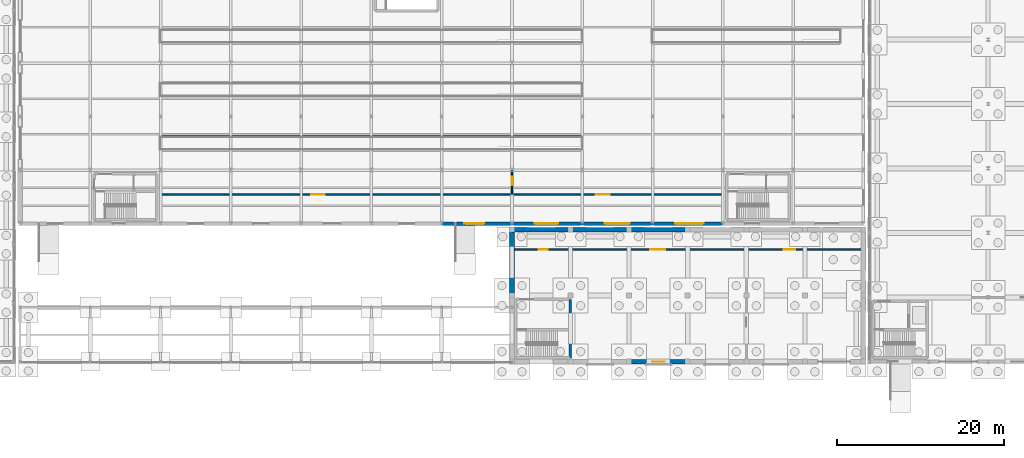
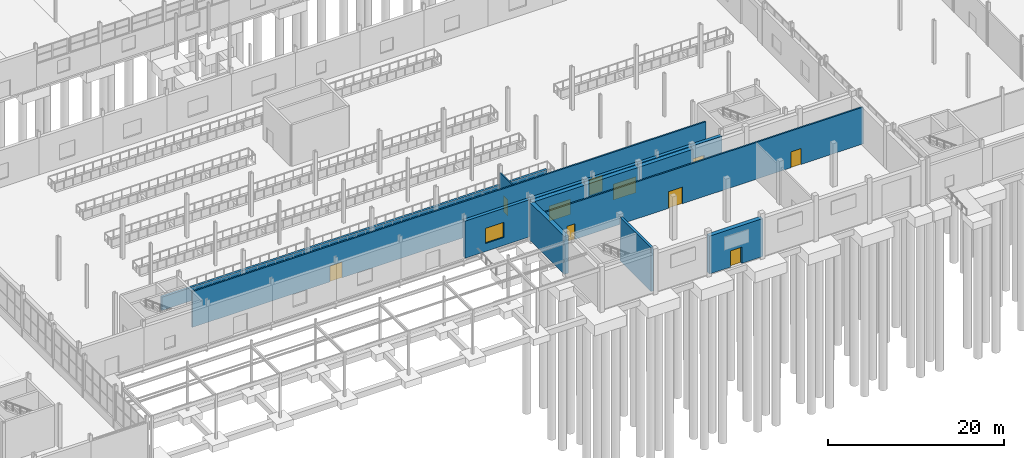
# One storey, part 122 of 139: 14 walls, 7 doors, 4 windows, 11 openings.
"""IFC4 building model written with IfcOpenShell, lengths in metres."""

from ifc_helpers import new_model, si_unit, direction, frame, frame_2d, origin, place, context, subcontext, project, spatial, rectangle, extrude, material, layer, layer_set, type_object, element, fill, save


model = new_model("IFC4")

# Units and contexts
model_context = context("Model", 3, precision=1e-05, world=origin(), true_north=direction((0.0, 1.0)))
body_context = subcontext(model_context, "Body", "Model", "MODEL_VIEW")
ifc_project = project(units=[si_unit("LENGTHUNIT", "METRE"), si_unit("AREAUNIT", "SQUARE_METRE"), si_unit("VOLUMEUNIT", "CUBIC_METRE"), si_unit("PLANEANGLEUNIT", "RADIAN"), si_unit("MASSUNIT", "GRAM", prefix="KILO")], contexts=[model_context])

# Site, building, storey
site_placement = place(None, origin())
site = spatial("IfcSite", under=ifc_project, at=site_placement, CompositionType="ELEMENT")
building_placement = place(site_placement, origin())
building = spatial("IfcBuilding", under=site, at=building_placement, Name="Kazenagashi Tramway Depot", CompositionType="ELEMENT")
storey_placement = place(building_placement, origin())
storey = spatial("IfcBuildingStorey", under=building, at=storey_placement, Name="L01", CompositionType="ELEMENT", Elevation=0.0)

# Wall, opening, window
ifc_material_1 = material(Name="Clay Brick Masonry JIS R 1250 Class 1 (20 MPa)", Category="masonry")
ifc_layer_1 = layer(ifc_material_1, 0.43)
ifc_layer_set_1 = layer_set([ifc_layer_1], Name="Clay Brick Masonry JIS R 1250 Class 1 (20 MPa)")
wall_type_1 = type_object("IfcWallType", Name="W-BK1", PredefinedType="SOLIDWALL", material=ifc_layer_set_1)
wall_1_placement = place(storey_placement, frame((95.2, 16.5, 0.0), z_axis=(0.0, 0.0, 1.0), x_axis=(1.0, 0.0, 0.0)))
wall_1 = element("IfcWall", 1, at=wall_1_placement, inside=storey, type_object=wall_type_1, Name="Exterior Brick Wall W-BK1 EWALL-0089", PredefinedType="SOLIDWALL", context=body_context, shape_type="SweptSolid", body=[
    extrude(rectangle(XDim=8.4, YDim=0.43, at=frame_2d((4.2, 0.0))), origin(), (0.0, 0.0, 1.0), 5.14),
])
opening_1_placement = place(wall_1_placement, frame((2.7, 0.0, 1.1)))
opening_1 = element("IfcOpeningElement", 2, at=opening_1_placement, cuts=wall_1, Name="Opening WN-10", PredefinedType="OPENING", context=body_context, shape_type="SweptSolid", body=[
    extrude(rectangle(XDim=2.4, YDim=2.1, at=frame_2d((1.2, 1.05))), frame((0.0, 0.225, 0.0), z_axis=(0.0, -1.0, 0.0), x_axis=(1.0, 0.0, 0.0)), (0.0, 0.0, 1.0), 0.45),
])
ifc_material_2 = material(Name="Anodised Aluminium and Tempered Low-E Glass", Category="aluminium")
window_type_1 = type_object("IfcWindowType", Name="WN-10", PartitioningType="SINGLE_PANEL", PredefinedType="WINDOW", material=ifc_material_2)
window_1_placement = place(opening_1_placement, origin())
window_1 = element("IfcWindow", 3, at=window_1_placement, inside=storey, type_object=window_type_1, Name="Window WN-10 WIN-0058", OverallHeight=2.1, OverallWidth=2.4, PartitioningType="SINGLE_PANEL", PredefinedType="WINDOW", context=body_context, shape_type="SweptSolid", body=[
    extrude(rectangle(XDim=2.4, YDim=2.1, at=frame_2d((1.2, 1.05))), frame((0.0, 0.03, 0.0), z_axis=(0.0, -1.0, 0.0), x_axis=(1.0, 0.0, 0.0)), (0.0, 0.0, 1.0), 0.06),
])
fill(opening_1, window_1)

wall_2_placement = place(storey_placement, frame((103.6, 16.5, 0.0), z_axis=(0.0, 0.0, 1.0), x_axis=(1.0, 0.0, 0.0)))
wall_2 = element("IfcWall", 4, at=wall_2_placement, inside=storey, type_object=wall_type_1, Name="Exterior Brick Wall W-BK1 EWALL-0091", PredefinedType="SOLIDWALL", context=body_context, shape_type="SweptSolid", body=[
    extrude(rectangle(XDim=8.4, YDim=0.43, at=frame_2d((4.2, 0.0))), origin(), (0.0, 0.0, 1.0), 5.14),
])
opening_2_placement = place(wall_2_placement, frame((2.7, 0.0, 1.1)))
opening_2 = element("IfcOpeningElement", 5, at=opening_2_placement, cuts=wall_2, Name="Opening WN-12", PredefinedType="OPENING", context=body_context, shape_type="SweptSolid", body=[
    extrude(rectangle(XDim=2.8, YDim=2.1, at=frame_2d((1.4, 1.05))), frame((0.0, 0.225, 0.0), z_axis=(0.0, -1.0, 0.0), x_axis=(1.0, 0.0, 0.0)), (0.0, 0.0, 1.0), 0.45),
])
window_type_2 = type_object("IfcWindowType", Name="WN-12", PartitioningType="SINGLE_PANEL", PredefinedType="WINDOW", material=ifc_material_2)
window_2_placement = place(opening_2_placement, origin())
window_2 = element("IfcWindow", 6, at=window_2_placement, inside=storey, type_object=window_type_2, Name="Window WN-12 WIN-0060", OverallHeight=2.1, OverallWidth=2.8, PartitioningType="SINGLE_PANEL", PredefinedType="WINDOW", context=body_context, shape_type="SweptSolid", body=[
    extrude(rectangle(XDim=2.8, YDim=2.1, at=frame_2d((1.4, 1.05))), frame((0.0, 0.03, 0.0), z_axis=(0.0, -1.0, 0.0), x_axis=(1.0, 0.0, 0.0)), (0.0, 0.0, 1.0), 0.06),
])
fill(opening_2, window_2)

wall_3_placement = place(storey_placement, frame((112.0, 16.5, 0.0), z_axis=(0.0, 0.0, 1.0), x_axis=(1.0, 0.0, 0.0)))
wall_3 = element("IfcWall", 7, at=wall_3_placement, inside=storey, type_object=wall_type_1, Name="Exterior Brick Wall W-BK1 EWALL-0093", PredefinedType="SOLIDWALL", context=body_context, shape_type="SweptSolid", body=[
    extrude(rectangle(XDim=8.4, YDim=0.43, at=frame_2d((4.2, 0.0))), origin(), (0.0, 0.0, 1.0), 5.14),
])
opening_3_placement = place(wall_3_placement, frame((2.7, 0.0, 1.1)))
opening_3 = element("IfcOpeningElement", 8, at=opening_3_placement, cuts=wall_3, Name="Opening WN-14", PredefinedType="OPENING", context=body_context, shape_type="SweptSolid", body=[
    extrude(rectangle(XDim=3.0, YDim=2.2, at=frame_2d((1.5, 1.1))), frame((0.0, 0.225, 0.0), z_axis=(0.0, -1.0, 0.0), x_axis=(1.0, 0.0, 0.0)), (0.0, 0.0, 1.0), 0.45),
])
window_type_3 = type_object("IfcWindowType", Name="WN-14", PartitioningType="SINGLE_PANEL", PredefinedType="WINDOW", material=ifc_material_2)
window_3_placement = place(opening_3_placement, origin())
window_3 = element("IfcWindow", 9, at=window_3_placement, inside=storey, type_object=window_type_3, Name="Window WN-14 WIN-0062", OverallHeight=2.2, OverallWidth=3.0, PartitioningType="SINGLE_PANEL", PredefinedType="WINDOW", context=body_context, shape_type="SweptSolid", body=[
    extrude(rectangle(XDim=3.0, YDim=2.2, at=frame_2d((1.5, 1.1))), frame((0.0, 0.03, 0.0), z_axis=(0.0, -1.0, 0.0), x_axis=(1.0, 0.0, 0.0)), (0.0, 0.0, 1.0), 0.06),
])
fill(opening_3, window_3)

wall_4_placement = place(storey_placement, frame((120.4, 16.5, 0.0), z_axis=(0.0, 0.0, 1.0), x_axis=(1.0, 0.0, 0.0)))
wall_4 = element("IfcWall", 10, at=wall_4_placement, inside=storey, type_object=wall_type_1, Name="Exterior Brick Wall W-BK1 EWALL-0095", PredefinedType="SOLIDWALL", context=body_context, shape_type="SweptSolid", body=[
    extrude(rectangle(XDim=8.4, YDim=0.43, at=frame_2d((4.2, 0.0))), origin(), (0.0, 0.0, 1.0), 5.14),
])
opening_4_placement = place(wall_4_placement, frame((2.7, 0.0, 1.1)))
opening_4 = element("IfcOpeningElement", 11, at=opening_4_placement, cuts=wall_4, Name="Opening WN-16", PredefinedType="OPENING", context=body_context, shape_type="SweptSolid", body=[
    extrude(rectangle(XDim=3.4, YDim=2.2, at=frame_2d((1.7, 1.1))), frame((0.0, 0.225, 0.0), z_axis=(0.0, -1.0, 0.0), x_axis=(1.0, 0.0, 0.0)), (0.0, 0.0, 1.0), 0.45),
])
window_type_4 = type_object("IfcWindowType", Name="WN-16", PartitioningType="SINGLE_PANEL", PredefinedType="WINDOW", material=ifc_material_2)
window_4_placement = place(opening_4_placement, origin())
window_4 = element("IfcWindow", 12, at=window_4_placement, inside=storey, type_object=window_type_4, Name="Window WN-16 WIN-0064", OverallHeight=2.2, OverallWidth=3.4, PartitioningType="SINGLE_PANEL", PredefinedType="WINDOW", context=body_context, shape_type="SweptSolid", body=[
    extrude(rectangle(XDim=3.4, YDim=2.2, at=frame_2d((1.7, 1.1))), frame((0.0, 0.03, 0.0), z_axis=(0.0, -1.0, 0.0), x_axis=(1.0, 0.0, 0.0)), (0.0, 0.0, 1.0), 0.06),
])
fill(opening_4, window_4)

# Wall, opening, door
ifc_material_3 = material(Name="Clinker Brick Masonry JIS R 1250 Class 1 (24 MPa)", Category="masonry")
ifc_layer_2 = layer(ifc_material_3, 0.54)
ifc_layer_set_2 = layer_set([ifc_layer_2], Name="Clinker Brick Masonry JIS R 1250 Class 1 (24 MPa)")
wall_type_2 = type_object("IfcWallType", Name="W-BK4", PredefinedType="SOLIDWALL", material=ifc_layer_set_2)
wall_5_placement = place(storey_placement, frame((117.6, 0.0, 0.0), z_axis=(0.0, 0.0, 1.0), x_axis=(1.0, 0.0, 0.0)))
wall_5 = element("IfcWall", 13, at=wall_5_placement, inside=storey, type_object=wall_type_2, Name="Exterior Brick Wall W-BK4 EWALL-0281", PredefinedType="SOLIDWALL", context=body_context, shape_type="SweptSolid", body=[
    extrude(rectangle(XDim=7.0, YDim=0.54, at=frame_2d((3.5, 0.0))), origin(), (0.0, 0.0, 1.0), 5.25),
])
opening_5_placement = place(wall_5_placement, frame((2.75, 0.0, 0.0)))
opening_5 = element("IfcOpeningElement", 14, at=opening_5_placement, cuts=wall_5, Name="Opening D-024", PredefinedType="OPENING", context=body_context, shape_type="SweptSolid", body=[
    extrude(rectangle(XDim=1.5, YDim=2.25, at=frame_2d((0.75, 1.125))), frame((0.0, 0.28, 0.0), z_axis=(0.0, -1.0, 0.0), x_axis=(1.0, 0.0, 0.0)), (0.0, 0.0, 1.0), 0.56),
])
ifc_material_4 = material(Name="Galvanised Painted Steel Door", Category="steel")
door_type_1 = type_object("IfcDoorType", Name="DT-03", OperationType="NOTDEFINED", PredefinedType="DOOR", material=ifc_material_4)
door_1_placement = place(opening_5_placement, frame((1.5, 0.0, 0.0), z_axis=(0.0, 0.0, 1.0), x_axis=(-1.0, 0.0, 0.0)))
door_1 = element("IfcDoor", 15, at=door_1_placement, inside=storey, type_object=door_type_1, Name="Substation Wing Final Exit Door D-024", OperationType="DOUBLE_DOOR_SINGLE_SWING", OverallHeight=2.25, OverallWidth=1.5, PredefinedType="DOOR", context=body_context, shape_type="SweptSolid", body=[
    extrude(rectangle(XDim=1.5, YDim=2.25, at=frame_2d((0.75, 1.125))), frame((0.0, 0.025, 0.0), z_axis=(0.0, -1.0, 0.0), x_axis=(1.0, 0.0, 0.0)), (0.0, 0.0, 1.0), 0.05),
])
fill(opening_5, door_1)

# Walls
wall_6_placement = place(storey_placement, frame((103.6, 7.9, 0.0), z_axis=(0.0, 0.0, 1.0), x_axis=(0.0, 1.0, 0.0)))
element("IfcWall", 16, at=wall_6_placement, inside=storey, type_object=wall_type_2, Name="Exterior Brick Wall W-BK4 EWALL-0291", PredefinedType="SOLIDWALL", context=body_context, shape_type="SweptSolid", body=[
    extrude(rectangle(XDim=7.9, YDim=0.54, at=frame_2d((3.95, 0.0))), origin(), (0.0, 0.0, 1.0), 5.25),
])
for number, where, z_axis, x_axis, name in (
    (17, (103.6, 15.8, 0.0), (0.0, 0.0, 1.0), (1.0, 0.0, 0.0), "Exterior Brick Wall W-BK4 EWALL-0308"),
    (18, (110.6, 15.8, 0.0), (0.0, 0.0, 1.0), (1.0, 0.0, 0.0), "Exterior Brick Wall W-BK4 EWALL-0309"),
    (19, (117.6, 15.8, 0.0), (0.0, 0.0, 1.0), (1.0, 0.0, 0.0), "Exterior Brick Wall W-BK4 EWALL-0310"),
):
    element("IfcWall", number, at=place(storey_placement, frame(where, z_axis=z_axis, x_axis=x_axis)), inside=storey, type_object=wall_type_2, Name=name, PredefinedType="SOLIDWALL", context=body_context, shape_type="SweptSolid", body=[
        extrude(rectangle(XDim=7.0, YDim=0.54, at=frame_2d((3.5, 0.0))), origin(), (0.0, 0.0, 1.0), 5.25),
    ])

# Wall, opening, door
ifc_material_5 = material(Name="Gypsum Plasterboard Partition", Category="gypsum")
ifc_layer_3 = layer(ifc_material_5, 0.15)
ifc_layer_set_3 = layer_set([ifc_layer_3], Name="Gypsum Plasterboard Partition")
wall_type_3 = type_object("IfcWallType", Name="W-PT1", PredefinedType="PARTITIONING", material=ifc_layer_set_3)
wall_7_placement = place(storey_placement, frame((103.6, 20.0, 0.0), z_axis=(0.0, 0.0, 1.0), x_axis=(0.0, 1.0, 0.0)))
wall_7 = element("IfcWall", 20, at=wall_7_placement, inside=storey, type_object=wall_type_3, Name="Interior Partition W-PT1 IWALL-0250", PredefinedType="PARTITIONING", context=body_context, shape_type="SweptSolid", body=[
    extrude(rectangle(XDim=2.9, YDim=0.15, at=frame_2d((1.45, 0.0))), origin(), (0.0, 0.0, 1.0), 4.95),
])
opening_6_placement = place(wall_7_placement, frame((1.1, 0.0, 0.0)))
opening_6 = element("IfcOpeningElement", 21, at=opening_6_placement, cuts=wall_7, Name="Opening D-148", PredefinedType="OPENING", context=body_context, shape_type="SweptSolid", body=[
    extrude(rectangle(XDim=1.0, YDim=2.2, at=frame_2d((0.5, 1.1))), frame((0.0, 0.085, 0.0), z_axis=(0.0, -1.0, 0.0), x_axis=(1.0, 0.0, 0.0)), (0.0, 0.0, 1.0), 0.17),
])
ifc_material_6 = material(Name="Powder-Coated Steel Door", Category="steel")
door_type_2 = type_object("IfcDoorType", Name="DT-11", OperationType="NOTDEFINED", PredefinedType="DOOR", material=ifc_material_6)
door_2_placement = place(opening_6_placement, origin())
door_2 = element("IfcDoor", 22, at=door_2_placement, inside=storey, type_object=door_type_2, Name="Interior Door D-148", OperationType="SINGLE_SWING_LEFT", OverallHeight=2.2, OverallWidth=1.0, PredefinedType="DOOR", context=body_context, shape_type="SweptSolid", body=[
    extrude(rectangle(XDim=1.0, YDim=2.2, at=frame_2d((0.5, 1.1))), frame((0.0, 0.025, 0.0), z_axis=(0.0, -1.0, 0.0), x_axis=(1.0, 0.0, 0.0)), (0.0, 0.0, 1.0), 0.05),
])
fill(opening_6, door_2)

# Wall, openings, doors
ifc_layer_4 = layer(ifc_material_5, 0.2)
ifc_layer_set_4 = layer_set([ifc_layer_4], Name="Gypsum Plasterboard Partition")
wall_type_4 = type_object("IfcWallType", Name="W-PT5", PredefinedType="PARTITIONING", material=ifc_layer_set_4)
wall_8_placement = place(storey_placement, frame((61.6, 20.0, 0.0), z_axis=(0.0, 0.0, 1.0), x_axis=(1.0, 0.0, 0.0)))
wall_8 = element("IfcWall", 23, at=wall_8_placement, inside=storey, type_object=wall_type_4, Name="Interior Partition W-PT5 IWALL-0249", PredefinedType="PARTITIONING", context=body_context, shape_type="SweptSolid", body=[
    extrude(rectangle(XDim=67.2, YDim=0.2, at=frame_2d((33.6, 0.0))), origin(), (0.0, 0.0, 1.0), 4.95),
])
opening_7_placement = place(wall_8_placement, frame((18.0, 0.0, 0.0)))
opening_7 = element("IfcOpeningElement", 24, at=opening_7_placement, cuts=wall_8, Name="Opening D-146", PredefinedType="OPENING", context=body_context, shape_type="SweptSolid", body=[
    extrude(rectangle(XDim=1.6, YDim=2.2, at=frame_2d((0.8, 1.1))), frame((0.0, 0.11, 0.0), z_axis=(0.0, -1.0, 0.0), x_axis=(1.0, 0.0, 0.0)), (0.0, 0.0, 1.0), 0.22),
])
opening_8_placement = place(wall_8_placement, frame((52.0, 0.0, 0.0)))
opening_8 = element("IfcOpeningElement", 25, at=opening_8_placement, cuts=wall_8, Name="Opening D-147", PredefinedType="OPENING", context=body_context, shape_type="SweptSolid", body=[
    extrude(rectangle(XDim=1.7, YDim=2.25, at=frame_2d((0.85, 1.125))), frame((0.0, 0.11, 0.0), z_axis=(0.0, -1.0, 0.0), x_axis=(1.0, 0.0, 0.0)), (0.0, 0.0, 1.0), 0.22),
])
door_type_3 = type_object("IfcDoorType", Name="DT-17", OperationType="NOTDEFINED", PredefinedType="DOOR", material=ifc_material_6)
door_3_placement = place(opening_7_placement, origin())
door_3 = element("IfcDoor", 26, at=door_3_placement, inside=storey, type_object=door_type_3, Name="Interior Door D-146", OperationType="DOUBLE_DOOR_SINGLE_SWING", OverallHeight=2.2, OverallWidth=1.6, PredefinedType="DOOR", context=body_context, shape_type="SweptSolid", body=[
    extrude(rectangle(XDim=1.6, YDim=2.2, at=frame_2d((0.8, 1.1))), frame((0.0, 0.025, 0.0), z_axis=(0.0, -1.0, 0.0), x_axis=(1.0, 0.0, 0.0)), (0.0, 0.0, 1.0), 0.05),
])
fill(opening_7, door_3)
door_type_4 = type_object("IfcDoorType", Name="DT-18", OperationType="NOTDEFINED", PredefinedType="DOOR", material=ifc_material_6)
door_4_placement = place(opening_8_placement, origin())
door_4 = element("IfcDoor", 27, at=door_4_placement, inside=storey, type_object=door_type_4, Name="Interior Door D-147", OperationType="DOUBLE_DOOR_SINGLE_SWING", OverallHeight=2.25, OverallWidth=1.7, PredefinedType="DOOR", context=body_context, shape_type="SweptSolid", body=[
    extrude(rectangle(XDim=1.7, YDim=2.25, at=frame_2d((0.85, 1.125))), frame((0.0, 0.025, 0.0), z_axis=(0.0, -1.0, 0.0), x_axis=(1.0, 0.0, 0.0)), (0.0, 0.0, 1.0), 0.05),
])
fill(opening_8, door_4)

wall_9_placement = place(storey_placement, frame((103.6, 13.4, 0.0), z_axis=(0.0, 0.0, 1.0), x_axis=(1.0, 0.0, 0.0)))
wall_9 = element("IfcWall", 28, at=wall_9_placement, inside=storey, type_object=wall_type_4, Name="Interior Partition W-PT5 IWALL-0259", PredefinedType="PARTITIONING", context=body_context, shape_type="SweptSolid", body=[
    extrude(rectangle(XDim=42.0, YDim=0.2, at=frame_2d((21.0, 0.0))), origin(), (0.0, 0.0, 1.0), 5.1),
])
opening_9_placement = place(wall_9_placement, frame((3.2, 0.0, 0.0)))
opening_9 = element("IfcOpeningElement", 29, at=opening_9_placement, cuts=wall_9, Name="Opening D-161", PredefinedType="OPENING", context=body_context, shape_type="SweptSolid", body=[
    extrude(rectangle(XDim=1.05, YDim=2.15, at=frame_2d((0.525, 1.075))), frame((0.0, 0.11, 0.0), z_axis=(0.0, -1.0, 0.0), x_axis=(1.0, 0.0, 0.0)), (0.0, 0.0, 1.0), 0.22),
])
opening_10_placement = place(wall_9_placement, frame((16.5, 0.0, 0.0)))
opening_10 = element("IfcOpeningElement", 30, at=opening_10_placement, cuts=wall_9, Name="Opening D-162", PredefinedType="OPENING", context=body_context, shape_type="SweptSolid", body=[
    extrude(rectangle(XDim=1.8, YDim=2.3, at=frame_2d((0.9, 1.15))), frame((0.0, 0.11, 0.0), z_axis=(0.0, -1.0, 0.0), x_axis=(1.0, 0.0, 0.0)), (0.0, 0.0, 1.0), 0.22),
])
opening_11_placement = place(wall_9_placement, frame((32.5, 0.0, 0.0)))
opening_11 = element("IfcOpeningElement", 31, at=opening_11_placement, cuts=wall_9, Name="Opening D-163", PredefinedType="OPENING", context=body_context, shape_type="SweptSolid", body=[
    extrude(rectangle(XDim=1.35, YDim=2.2, at=frame_2d((0.675, 1.1))), frame((0.0, 0.11, 0.0), z_axis=(0.0, -1.0, 0.0), x_axis=(1.0, 0.0, 0.0)), (0.0, 0.0, 1.0), 0.22),
])
ifc_material_7 = material(Name="Galvanised Fire-Rated Steel Door", Category="steel")
door_type_5 = type_object("IfcDoorType", Name="DT-07", OperationType="NOTDEFINED", PredefinedType="DOOR", material=ifc_material_7)
door_5_placement = place(opening_9_placement, origin())
door_5 = element("IfcDoor", 32, at=door_5_placement, inside=storey, type_object=door_type_5, Name="Interior Door D-161", OperationType="SINGLE_SWING_RIGHT", OverallHeight=2.15, OverallWidth=1.05, PredefinedType="DOOR", context=body_context, shape_type="SweptSolid", body=[
    extrude(rectangle(XDim=1.05, YDim=2.15, at=frame_2d((0.525, 1.075))), frame((0.0, 0.025, 0.0), z_axis=(0.0, -1.0, 0.0), x_axis=(1.0, 0.0, 0.0)), (0.0, 0.0, 1.0), 0.05),
])
fill(opening_9, door_5)
door_type_6 = type_object("IfcDoorType", Name="DT-08", OperationType="NOTDEFINED", PredefinedType="DOOR", material=ifc_material_7)
door_6_placement = place(opening_10_placement, origin())
door_6 = element("IfcDoor", 33, at=door_6_placement, inside=storey, type_object=door_type_6, Name="Interior Door D-162", OperationType="DOUBLE_DOOR_SINGLE_SWING", OverallHeight=2.3, OverallWidth=1.8, PredefinedType="DOOR", context=body_context, shape_type="SweptSolid", body=[
    extrude(rectangle(XDim=1.8, YDim=2.3, at=frame_2d((0.9, 1.15))), frame((0.0, 0.025, 0.0), z_axis=(0.0, -1.0, 0.0), x_axis=(1.0, 0.0, 0.0)), (0.0, 0.0, 1.0), 0.05),
])
fill(opening_10, door_6)
door_type_7 = type_object("IfcDoorType", Name="DT-15", OperationType="NOTDEFINED", PredefinedType="DOOR", material=ifc_material_6)
door_7_placement = place(opening_11_placement, origin())
door_7 = element("IfcDoor", 34, at=door_7_placement, inside=storey, type_object=door_type_7, Name="Interior Door D-163", OperationType="DOUBLE_DOOR_SINGLE_SWING", OverallHeight=2.2, OverallWidth=1.35, PredefinedType="DOOR", context=body_context, shape_type="SweptSolid", body=[
    extrude(rectangle(XDim=1.35, YDim=2.2, at=frame_2d((0.675, 1.1))), frame((0.0, 0.025, 0.0), z_axis=(0.0, -1.0, 0.0), x_axis=(1.0, 0.0, 0.0)), (0.0, 0.0, 1.0), 0.05),
])
fill(opening_11, door_7)

# Walls
ifc_material_8 = material(Name="Concrete Fc36", Category="concrete")
ifc_layer_5 = layer(ifc_material_8, 0.3)
ifc_layer_set_5 = layer_set([ifc_layer_5], Name="Concrete Fc36")
wall_type_5 = type_object("IfcWallType", Name="W-RC1", PredefinedType="SHEAR", material=ifc_layer_set_5)
wall_10_placement = place(storey_placement, frame((61.6, 26.95, -1.85), z_axis=(0.0, 0.0, 1.0), x_axis=(1.0, 0.0, 0.0)))
element("IfcWall", 35, at=wall_10_placement, inside=storey, type_object=wall_type_5, Name="Core Shear Wall W-RC1 IWALL-0002", PredefinedType="SHEAR", context=body_context, shape_type="SweptSolid", body=[
    extrude(rectangle(XDim=50.4, YDim=0.3, at=frame_2d((25.2, 0.0))), origin(), (0.0, 0.0, 1.0), 1.85),
])
wall_11_placement = place(storey_placement, frame((110.54, 0.46, -0.35), z_axis=(0.0, 0.0, 1.0), x_axis=(0.0, 1.0, 0.0)))
element("IfcWall", 36, at=wall_11_placement, inside=storey, type_object=wall_type_5, Name="Core Shear Wall W-RC1 IWALL-0230", PredefinedType="SHEAR", context=body_context, shape_type="SweptSolid", body=[
    extrude(rectangle(XDim=6.98, YDim=0.3, at=frame_2d((3.49, 0.0))), origin(), (0.0, 0.0, 1.0), 6.07),
])

save(model, "model.ifc")
